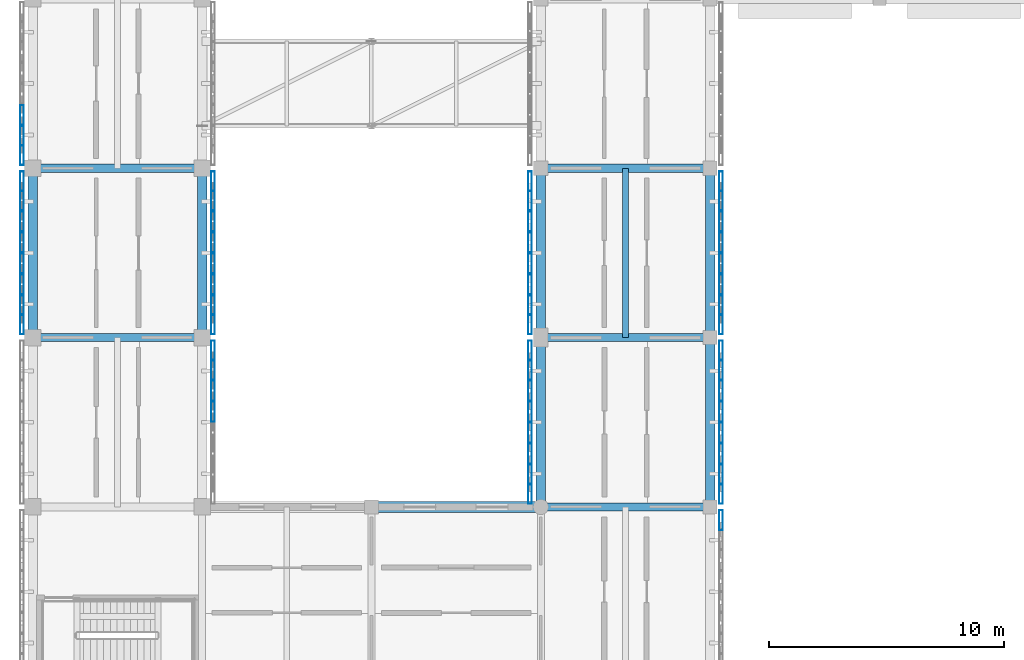
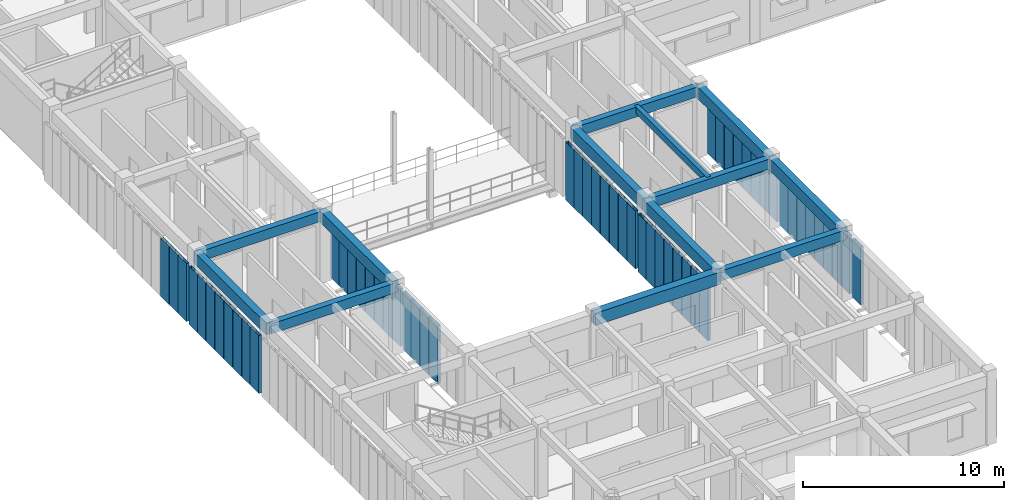
# One storey, part 11 of 171: 56 members, 13 beams, 9 elements without a shape of their own.
"""IFC4 building model written with IfcOpenShell, lengths in metres."""

from ifc_helpers import new_model, si_unit, direction, frame, origin, origin_2d, place, context, subcontext, project, spatial, rectangle, hollow_rectangle, extrude, material, material_profile, profile_set, type_object, element, aggregate, save


model = new_model("IFC4")

# Units and contexts
model_context = context("Model", 3, precision=1e-05, world=origin(), true_north=direction((0.0, 1.0)))
body_context = subcontext(model_context, "Body", "Model", "MODEL_VIEW")
ifc_project = project(units=[si_unit("LENGTHUNIT", "METRE"), si_unit("AREAUNIT", "SQUARE_METRE"), si_unit("VOLUMEUNIT", "CUBIC_METRE"), si_unit("PLANEANGLEUNIT", "RADIAN"), si_unit("MASSUNIT", "GRAM", prefix="KILO")], contexts=[model_context])

# Site, building, storey
site_placement = place(None, origin())
site = spatial("IfcSite", under=ifc_project, at=site_placement, CompositionType="ELEMENT")
building_placement = place(site_placement, origin())
building = spatial("IfcBuilding", under=site, at=building_placement, Name="Aldebral Square Health Centre", CompositionType="ELEMENT")
storey_placement = place(building_placement, frame((0.0, 0.0, 4.5)))
storey = spatial("IfcBuildingStorey", under=building, at=storey_placement, Name="L01", CompositionType="ELEMENT", Elevation=4.5)

# Beams
ifc_material_1 = material(Name="Concrete C40/50", Category="concrete")
ifc_material_profile_1 = material_profile(ifc_material_1, rectangle(XDim=0.35009765625, YDim=0.60009765625, at=origin_2d()), Name="RC 350x600")
ifc_profile_set_1 = profile_set([ifc_material_profile_1], Name="Concrete C40/50")
beam_type_1 = type_object("IfcBeamType", Name="BM-B2", PredefinedType="BEAM", material=ifc_profile_set_1)
for number, where, z_axis, x_axis, name in (
    (1, (0.0, 72.0, 3.919921875), (1.0, 0.0, 0.0), (0.0, 1.0, 0.0), "L01 X-beam 1-2/G11"),
    (2, (0.0, 79.199951171875, 3.919921875), (1.0, 0.0, 0.0), (0.0, 1.0, 0.0), "L01 X-beam 1-2/G12"),
    (3, (21.60009765625, 64.800048828125, 3.919921875), (1.0, 0.0, 0.0), (0.0, 1.0, 0.0), "L01 X-beam 4-5/G10"),
    (4, (21.60009765625, 72.0, 3.919921875), (1.0, 0.0, 0.0), (0.0, 1.0, 0.0), "L01 X-beam 4-5/G11"),
    (5, (21.60009765625, 79.199951171875, 3.919921875), (1.0, 0.0, 0.0), (0.0, 1.0, 0.0), "L01 X-beam 4-5/G12"),
):
    element("IfcBeam", number, at=place(storey_placement, frame(where, z_axis=z_axis, x_axis=x_axis)), inside=storey, type_object=beam_type_1, Name=name, PredefinedType="BEAM", context=body_context, shape_type="SweptSolid", body=[
        extrude(rectangle(XDim=0.35009765625, YDim=0.60009765625, at=origin_2d()), origin(), (0.0, 0.0, 1.0), 7.199951171875),
    ])
ifc_material_profile_2 = material_profile(ifc_material_1, rectangle(XDim=0.25, YDim=0.39990234375, at=origin_2d()), Name="RC 250x400")
ifc_profile_set_2 = profile_set([ifc_material_profile_2], Name="Concrete C40/50")
beam_type_2 = type_object("IfcBeamType", Name="BM-B6", PredefinedType="JOIST", material=ifc_profile_set_2)
beam_1_placement = place(storey_placement, frame((25.199951171875, 72.0, 4.02001953125), z_axis=(0.0, 1.0, 0.0), x_axis=(-1.0, 0.0, 0.0)))
element("IfcBeam", 6, at=beam_1_placement, inside=storey, type_object=beam_type_2, Name="L01 secondary rib 4.11", PredefinedType="JOIST", context=body_context, shape_type="SweptSolid", body=[
    extrude(rectangle(XDim=0.25, YDim=0.39990234375, at=origin_2d()), origin(), (0.0, 0.0, 1.0), 7.199951171875),
])
ifc_material_profile_3 = material_profile(ifc_material_1, rectangle(XDim=0.449951171875, YDim=0.75, at=origin_2d()), Name="RC 450x750")
ifc_profile_set_3 = profile_set([ifc_material_profile_3], Name="Concrete C40/50")
beam_type_3 = type_object("IfcBeamType", Name="BM-G2", PredefinedType="T_BEAM", material=ifc_profile_set_3)
beam_2_placement = place(storey_placement, frame((14.39990234375, 64.800048828125, 3.844970703125), z_axis=(1.0, 0.0, 0.0), x_axis=(0.0, 1.0, 0.0)))
element("IfcBeam", 7, at=beam_2_placement, inside=storey, type_object=beam_type_3, Name="L01 X-beam 3-4/G10", PredefinedType="T_BEAM", context=body_context, shape_type="SweptSolid", body=[
    extrude(rectangle(XDim=0.449951171875, YDim=0.75, at=origin_2d()), origin(), (0.0, 0.0, 1.0), 7.2001953125),
])
ifc_material_profile_4 = material_profile(ifc_material_1, rectangle(XDim=0.39990234375, YDim=0.699951171875, at=origin_2d()), Name="RC 400x700")
ifc_profile_set_4 = profile_set([ifc_material_profile_4], Name="Concrete C40/50")
beam_type_4 = type_object("IfcBeamType", Name="BM-G3", PredefinedType="T_BEAM", material=ifc_profile_set_4)
for number, where, z_axis, x_axis, name in (
    (8, (0.0, 72.0, 3.8701171875), (0.0, 1.0, 0.0), (-1.0, 0.0, 0.0), "L01 Y-beam G1/11-12"),
    (9, (7.199951171875, 72.0, 3.8701171875), (0.0, 1.0, 0.0), (-1.0, 0.0, 0.0), "L01 Y-beam G2/11-12"),
    (10, (21.60009765625, 64.800048828125, 3.8701171875), (0.0, 1.0, 0.0), (-1.0, 0.0, 0.0), "L01 Y-beam G4/10-11"),
    (11, (21.60009765625, 72.0, 3.8701171875), (0.0, 1.0, 0.0), (-1.0, 0.0, 0.0), "L01 Y-beam G4/11-12"),
    (12, (28.800048828125, 64.800048828125, 3.8701171875), (0.0, 1.0, 0.0), (-1.0, 0.0, 0.0), "L01 Y-beam G5/10-11"),
    (13, (28.800048828125, 72.0, 3.8701171875), (0.0, 1.0, 0.0), (-1.0, 0.0, 0.0), "L01 Y-beam G5/11-12"),
):
    element("IfcBeam", number, at=place(storey_placement, frame(where, z_axis=z_axis, x_axis=x_axis)), inside=storey, type_object=beam_type_4, Name=name, PredefinedType="T_BEAM", context=body_context, shape_type="SweptSolid", body=[
        extrude(rectangle(XDim=0.39990234375, YDim=0.699951171875, at=origin_2d()), origin(), (0.0, 0.0, 1.0), 7.199951171875),
    ])

# Curtain wall, members
ifc_material_2 = material(Name="Aluminium and low-E solar glass", Category="aluminium")
curtain_wall_type = type_object("IfcCurtainWallType", Name="CW-FIN-SYS", PredefinedType="USERDEFINED", material=ifc_material_2)
curtain_wall_1_placement = place(storey_placement, origin())
curtain_wall_1 = element("IfcCurtainWall", 14, at=curtain_wall_1_placement, inside=storey, type_object=curtain_wall_type, Name="L01 V4 finned curtain wall L01-V4-00-09-E", ObjectType="SOLAR_CURTAIN_WALL", PredefinedType="USERDEFINED")
ifc_material_3 = material(Name="Sienna-terracotta clad aluminium fin", Category="masonry")
ifc_material_profile_5 = material_profile(ifc_material_3, hollow_rectangle(XDim=0.159912109375, YDim=0.85009765625, WallThickness=0.006103515625, at=origin_2d()), Name="FIN 160x850x6")
ifc_profile_set_5 = profile_set([ifc_material_profile_5], Name="Sienna-terracotta clad aluminium fin")
member_type = type_object("IfcMemberType", Name="CWM-FIN", PredefinedType="MULLION", material=ifc_profile_set_5)
member_1_placement = place(storey_placement, frame((7.659912109375, 68.845703125, 0.0), z_axis=(0.0, 0.0, 1.0), x_axis=(-1.0, 0.0, 0.0)))
member_1 = element("IfcMember", 15, at=member_1_placement, type_object=member_type, Name="CW1 mullion 5", PredefinedType="MULLION", context=body_context, shape_type="SweptSolid", body=[
    extrude(hollow_rectangle(XDim=0.159912109375, YDim=0.85009765625, WallThickness=0.006103515625, at=origin_2d()), origin(), (0.0, 0.0, 1.0), 3.52001953125),
])
member_2_placement = place(storey_placement, frame((7.659912109375, 69.737060546875, 0.0), z_axis=(0.0, 0.0, 1.0), x_axis=(-1.0, 0.0, 0.0)))
member_2 = element("IfcMember", 16, at=member_2_placement, type_object=member_type, Name="CW1 mullion 6", PredefinedType="MULLION", context=body_context, shape_type="SweptSolid", body=[
    extrude(hollow_rectangle(XDim=0.159912109375, YDim=0.85009765625, WallThickness=0.006103515625, at=origin_2d()), origin(), (0.0, 0.0, 1.0), 3.52001953125),
])
member_3_placement = place(storey_placement, frame((7.659912109375, 70.628662109375, 0.0), z_axis=(0.0, 0.0, 1.0), x_axis=(-1.0, 0.0, 0.0)))
member_3 = element("IfcMember", 17, at=member_3_placement, type_object=member_type, Name="CW1 mullion 7", PredefinedType="MULLION", context=body_context, shape_type="SweptSolid", body=[
    extrude(hollow_rectangle(XDim=0.159912109375, YDim=0.85009765625, WallThickness=0.006103515625, at=origin_2d()), origin(), (0.0, 0.0, 1.0), 3.52001953125),
])
member_4_placement = place(storey_placement, frame((7.659912109375, 71.43994140625, 0.0), z_axis=(0.0, 0.0, 1.0), x_axis=(-1.0, 0.0, 0.0)))
member_4 = element("IfcMember", 18, at=member_4_placement, type_object=member_type, Name="CW1 mullion 8", PredefinedType="MULLION", context=body_context, shape_type="SweptSolid", body=[
    extrude(hollow_rectangle(XDim=0.159912109375, YDim=0.85009765625, WallThickness=0.006103515625, at=origin_2d()), origin(), (0.0, 0.0, 1.0), 3.52001953125),
])
aggregate(curtain_wall_1, [member_1, member_2, member_3, member_4])

curtain_wall_2_placement = place(storey_placement, origin())
curtain_wall_2 = element("IfcCurtainWall", 19, at=curtain_wall_2_placement, inside=storey, type_object=curtain_wall_type, Name="L01 V4 finned curtain wall L01-V4-00-10-W", ObjectType="SOLAR_CURTAIN_WALL", PredefinedType="USERDEFINED")
member_5_placement = place(storey_placement, frame((-0.4599609375, 78.639892578125, 0.0), z_axis=(0.0, 0.0, 1.0), x_axis=(1.0, 0.0, 0.0)))
member_5 = element("IfcMember", 20, at=member_5_placement, type_object=member_type, Name="CW1 mullion 1", PredefinedType="MULLION", context=body_context, shape_type="SweptSolid", body=[
    extrude(hollow_rectangle(XDim=0.159912109375, YDim=0.85009765625, WallThickness=0.006103515625, at=origin_2d()), origin(), (0.0, 0.0, 1.0), 3.52001953125),
])
member_6_placement = place(storey_placement, frame((-0.4599609375, 77.82861328125, 0.0), z_axis=(0.0, 0.0, 1.0), x_axis=(1.0, 0.0, 0.0)))
member_6 = element("IfcMember", 21, at=member_6_placement, type_object=member_type, Name="CW1 mullion 2", PredefinedType="MULLION", context=body_context, shape_type="SweptSolid", body=[
    extrude(hollow_rectangle(XDim=0.159912109375, YDim=0.85009765625, WallThickness=0.006103515625, at=origin_2d()), origin(), (0.0, 0.0, 1.0), 3.52001953125),
])
member_7_placement = place(storey_placement, frame((-0.4599609375, 76.937255859375, 0.0), z_axis=(0.0, 0.0, 1.0), x_axis=(1.0, 0.0, 0.0)))
member_7 = element("IfcMember", 22, at=member_7_placement, type_object=member_type, Name="CW1 mullion 3", PredefinedType="MULLION", context=body_context, shape_type="SweptSolid", body=[
    extrude(hollow_rectangle(XDim=0.159912109375, YDim=0.85009765625, WallThickness=0.006103515625, at=origin_2d()), origin(), (0.0, 0.0, 1.0), 3.52001953125),
])
member_8_placement = place(storey_placement, frame((-0.4599609375, 76.045654296875, 0.0), z_axis=(0.0, 0.0, 1.0), x_axis=(1.0, 0.0, 0.0)))
member_8 = element("IfcMember", 23, at=member_8_placement, type_object=member_type, Name="CW1 mullion 4", PredefinedType="MULLION", context=body_context, shape_type="SweptSolid", body=[
    extrude(hollow_rectangle(XDim=0.159912109375, YDim=0.85009765625, WallThickness=0.006103515625, at=origin_2d()), origin(), (0.0, 0.0, 1.0), 3.52001953125),
])
member_9_placement = place(storey_placement, frame((-0.4599609375, 75.154296875, 0.0), z_axis=(0.0, 0.0, 1.0), x_axis=(1.0, 0.0, 0.0)))
member_9 = element("IfcMember", 24, at=member_9_placement, type_object=member_type, Name="CW1 mullion 5", PredefinedType="MULLION", context=body_context, shape_type="SweptSolid", body=[
    extrude(hollow_rectangle(XDim=0.159912109375, YDim=0.85009765625, WallThickness=0.006103515625, at=origin_2d()), origin(), (0.0, 0.0, 1.0), 3.52001953125),
])
member_10_placement = place(storey_placement, frame((-0.4599609375, 74.262939453125, 0.0), z_axis=(0.0, 0.0, 1.0), x_axis=(1.0, 0.0, 0.0)))
member_10 = element("IfcMember", 25, at=member_10_placement, type_object=member_type, Name="CW1 mullion 6", PredefinedType="MULLION", context=body_context, shape_type="SweptSolid", body=[
    extrude(hollow_rectangle(XDim=0.159912109375, YDim=0.85009765625, WallThickness=0.006103515625, at=origin_2d()), origin(), (0.0, 0.0, 1.0), 3.52001953125),
])
member_11_placement = place(storey_placement, frame((-0.4599609375, 73.371337890625, 0.0), z_axis=(0.0, 0.0, 1.0), x_axis=(1.0, 0.0, 0.0)))
member_11 = element("IfcMember", 26, at=member_11_placement, type_object=member_type, Name="CW1 mullion 7", PredefinedType="MULLION", context=body_context, shape_type="SweptSolid", body=[
    extrude(hollow_rectangle(XDim=0.159912109375, YDim=0.85009765625, WallThickness=0.006103515625, at=origin_2d()), origin(), (0.0, 0.0, 1.0), 3.52001953125),
])
member_12_placement = place(storey_placement, frame((-0.4599609375, 72.56005859375, 0.0), z_axis=(0.0, 0.0, 1.0), x_axis=(1.0, 0.0, 0.0)))
member_12 = element("IfcMember", 27, at=member_12_placement, type_object=member_type, Name="CW1 mullion 8", PredefinedType="MULLION", context=body_context, shape_type="SweptSolid", body=[
    extrude(hollow_rectangle(XDim=0.159912109375, YDim=0.85009765625, WallThickness=0.006103515625, at=origin_2d()), origin(), (0.0, 0.0, 1.0), 3.52001953125),
])
aggregate(curtain_wall_2, [member_5, member_6, member_7, member_8, member_9, member_10, member_11, member_12])

curtain_wall_3_placement = place(storey_placement, origin())
curtain_wall_3 = element("IfcCurtainWall", 28, at=curtain_wall_3_placement, inside=storey, type_object=curtain_wall_type, Name="L01 V4 finned curtain wall L01-V4-00-10-E", ObjectType="SOLAR_CURTAIN_WALL", PredefinedType="USERDEFINED")
member_13_placement = place(storey_placement, frame((7.659912109375, 72.56005859375, 0.0), z_axis=(0.0, 0.0, 1.0), x_axis=(-1.0, 0.0, 0.0)))
member_13 = element("IfcMember", 29, at=member_13_placement, type_object=member_type, Name="CW1 mullion 1", PredefinedType="MULLION", context=body_context, shape_type="SweptSolid", body=[
    extrude(hollow_rectangle(XDim=0.159912109375, YDim=0.85009765625, WallThickness=0.006103515625, at=origin_2d()), origin(), (0.0, 0.0, 1.0), 3.52001953125),
])
member_14_placement = place(storey_placement, frame((7.659912109375, 73.371337890625, 0.0), z_axis=(0.0, 0.0, 1.0), x_axis=(-1.0, 0.0, 0.0)))
member_14 = element("IfcMember", 30, at=member_14_placement, type_object=member_type, Name="CW1 mullion 2", PredefinedType="MULLION", context=body_context, shape_type="SweptSolid", body=[
    extrude(hollow_rectangle(XDim=0.159912109375, YDim=0.85009765625, WallThickness=0.006103515625, at=origin_2d()), origin(), (0.0, 0.0, 1.0), 3.52001953125),
])
member_15_placement = place(storey_placement, frame((7.659912109375, 74.262939453125, 0.0), z_axis=(0.0, 0.0, 1.0), x_axis=(-1.0, 0.0, 0.0)))
member_15 = element("IfcMember", 31, at=member_15_placement, type_object=member_type, Name="CW1 mullion 3", PredefinedType="MULLION", context=body_context, shape_type="SweptSolid", body=[
    extrude(hollow_rectangle(XDim=0.159912109375, YDim=0.85009765625, WallThickness=0.006103515625, at=origin_2d()), origin(), (0.0, 0.0, 1.0), 3.52001953125),
])
member_16_placement = place(storey_placement, frame((7.659912109375, 75.154296875, 0.0), z_axis=(0.0, 0.0, 1.0), x_axis=(-1.0, 0.0, 0.0)))
member_16 = element("IfcMember", 32, at=member_16_placement, type_object=member_type, Name="CW1 mullion 4", PredefinedType="MULLION", context=body_context, shape_type="SweptSolid", body=[
    extrude(hollow_rectangle(XDim=0.159912109375, YDim=0.85009765625, WallThickness=0.006103515625, at=origin_2d()), origin(), (0.0, 0.0, 1.0), 3.52001953125),
])
member_17_placement = place(storey_placement, frame((7.659912109375, 76.045654296875, 0.0), z_axis=(0.0, 0.0, 1.0), x_axis=(-1.0, 0.0, 0.0)))
member_17 = element("IfcMember", 33, at=member_17_placement, type_object=member_type, Name="CW1 mullion 5", PredefinedType="MULLION", context=body_context, shape_type="SweptSolid", body=[
    extrude(hollow_rectangle(XDim=0.159912109375, YDim=0.85009765625, WallThickness=0.006103515625, at=origin_2d()), origin(), (0.0, 0.0, 1.0), 3.52001953125),
])
member_18_placement = place(storey_placement, frame((7.659912109375, 76.937255859375, 0.0), z_axis=(0.0, 0.0, 1.0), x_axis=(-1.0, 0.0, 0.0)))
member_18 = element("IfcMember", 34, at=member_18_placement, type_object=member_type, Name="CW1 mullion 6", PredefinedType="MULLION", context=body_context, shape_type="SweptSolid", body=[
    extrude(hollow_rectangle(XDim=0.159912109375, YDim=0.85009765625, WallThickness=0.006103515625, at=origin_2d()), origin(), (0.0, 0.0, 1.0), 3.52001953125),
])
member_19_placement = place(storey_placement, frame((7.659912109375, 77.82861328125, 0.0), z_axis=(0.0, 0.0, 1.0), x_axis=(-1.0, 0.0, 0.0)))
member_19 = element("IfcMember", 35, at=member_19_placement, type_object=member_type, Name="CW1 mullion 7", PredefinedType="MULLION", context=body_context, shape_type="SweptSolid", body=[
    extrude(hollow_rectangle(XDim=0.159912109375, YDim=0.85009765625, WallThickness=0.006103515625, at=origin_2d()), origin(), (0.0, 0.0, 1.0), 3.52001953125),
])
member_20_placement = place(storey_placement, frame((7.659912109375, 78.639892578125, 0.0), z_axis=(0.0, 0.0, 1.0), x_axis=(-1.0, 0.0, 0.0)))
member_20 = element("IfcMember", 36, at=member_20_placement, type_object=member_type, Name="CW1 mullion 8", PredefinedType="MULLION", context=body_context, shape_type="SweptSolid", body=[
    extrude(hollow_rectangle(XDim=0.159912109375, YDim=0.85009765625, WallThickness=0.006103515625, at=origin_2d()), origin(), (0.0, 0.0, 1.0), 3.52001953125),
])
aggregate(curtain_wall_3, [member_13, member_14, member_15, member_16, member_17, member_18, member_19, member_20])

curtain_wall_4_placement = place(storey_placement, origin())
curtain_wall_4 = element("IfcCurtainWall", 37, at=curtain_wall_4_placement, inside=storey, type_object=curtain_wall_type, Name="L01 V4 finned curtain wall L01-V4-00-11-W", ObjectType="SOLAR_CURTAIN_WALL", PredefinedType="USERDEFINED")
member_21_placement = place(storey_placement, frame((-0.4599609375, 81.462890625, 0.0), z_axis=(0.0, 0.0, 1.0), x_axis=(1.0, 0.0, 0.0)))
member_21 = element("IfcMember", 38, at=member_21_placement, type_object=member_type, Name="CW1 mullion 6", PredefinedType="MULLION", context=body_context, shape_type="SweptSolid", body=[
    extrude(hollow_rectangle(XDim=0.159912109375, YDim=0.85009765625, WallThickness=0.006103515625, at=origin_2d()), origin(), (0.0, 0.0, 1.0), 3.52001953125),
])
member_22_placement = place(storey_placement, frame((-0.4599609375, 80.571533203125, 0.0), z_axis=(0.0, 0.0, 1.0), x_axis=(1.0, 0.0, 0.0)))
member_22 = element("IfcMember", 39, at=member_22_placement, type_object=member_type, Name="CW1 mullion 7", PredefinedType="MULLION", context=body_context, shape_type="SweptSolid", body=[
    extrude(hollow_rectangle(XDim=0.159912109375, YDim=0.85009765625, WallThickness=0.006103515625, at=origin_2d()), origin(), (0.0, 0.0, 1.0), 3.52001953125),
])
member_23_placement = place(storey_placement, frame((-0.4599609375, 79.760009765625, 0.0), z_axis=(0.0, 0.0, 1.0), x_axis=(1.0, 0.0, 0.0)))
member_23 = element("IfcMember", 40, at=member_23_placement, type_object=member_type, Name="CW1 mullion 8", PredefinedType="MULLION", context=body_context, shape_type="SweptSolid", body=[
    extrude(hollow_rectangle(XDim=0.159912109375, YDim=0.85009765625, WallThickness=0.006103515625, at=origin_2d()), origin(), (0.0, 0.0, 1.0), 3.52001953125),
])
aggregate(curtain_wall_4, [member_21, member_22, member_23])

# Curtain wall, member
curtain_wall_5_placement = place(storey_placement, origin())
curtain_wall_5 = element("IfcCurtainWall", 41, at=curtain_wall_5_placement, inside=storey, type_object=curtain_wall_type, Name="L01 V4 finned curtain wall L01-V4-03-08-E", ObjectType="SOLAR_CURTAIN_WALL", PredefinedType="USERDEFINED")
member_24_placement = place(storey_placement, frame((29.260009765625, 64.239990234375, 0.0), z_axis=(0.0, 0.0, 1.0), x_axis=(-1.0, 0.0, 0.0)))
member_24 = element("IfcMember", 42, at=member_24_placement, type_object=member_type, Name="CW1 mullion 8", PredefinedType="MULLION", context=body_context, shape_type="SweptSolid", body=[
    extrude(hollow_rectangle(XDim=0.159912109375, YDim=0.85009765625, WallThickness=0.006103515625, at=origin_2d()), origin(), (0.0, 0.0, 1.0), 3.52001953125),
])
aggregate(curtain_wall_5, [member_24])

# Curtain wall, members
curtain_wall_6_placement = place(storey_placement, origin())
curtain_wall_6 = element("IfcCurtainWall", 43, at=curtain_wall_6_placement, inside=storey, type_object=curtain_wall_type, Name="L01 V4 finned curtain wall L01-V4-03-09-W", ObjectType="SOLAR_CURTAIN_WALL", PredefinedType="USERDEFINED")
member_25_placement = place(storey_placement, frame((21.139892578125, 71.43994140625, 0.0), z_axis=(0.0, 0.0, 1.0), x_axis=(1.0, 0.0, 0.0)))
member_25 = element("IfcMember", 44, at=member_25_placement, type_object=member_type, Name="CW1 mullion 1", PredefinedType="MULLION", context=body_context, shape_type="SweptSolid", body=[
    extrude(hollow_rectangle(XDim=0.159912109375, YDim=0.85009765625, WallThickness=0.006103515625, at=origin_2d()), origin(), (0.0, 0.0, 1.0), 3.52001953125),
])
member_26_placement = place(storey_placement, frame((21.139892578125, 70.628662109375, 0.0), z_axis=(0.0, 0.0, 1.0), x_axis=(1.0, 0.0, 0.0)))
member_26 = element("IfcMember", 45, at=member_26_placement, type_object=member_type, Name="CW1 mullion 2", PredefinedType="MULLION", context=body_context, shape_type="SweptSolid", body=[
    extrude(hollow_rectangle(XDim=0.159912109375, YDim=0.85009765625, WallThickness=0.006103515625, at=origin_2d()), origin(), (0.0, 0.0, 1.0), 3.52001953125),
])
member_27_placement = place(storey_placement, frame((21.139892578125, 69.737060546875, 0.0), z_axis=(0.0, 0.0, 1.0), x_axis=(1.0, 0.0, 0.0)))
member_27 = element("IfcMember", 46, at=member_27_placement, type_object=member_type, Name="CW1 mullion 3", PredefinedType="MULLION", context=body_context, shape_type="SweptSolid", body=[
    extrude(hollow_rectangle(XDim=0.159912109375, YDim=0.85009765625, WallThickness=0.006103515625, at=origin_2d()), origin(), (0.0, 0.0, 1.0), 3.52001953125),
])
member_28_placement = place(storey_placement, frame((21.139892578125, 68.845703125, 0.0), z_axis=(0.0, 0.0, 1.0), x_axis=(1.0, 0.0, 0.0)))
member_28 = element("IfcMember", 47, at=member_28_placement, type_object=member_type, Name="CW1 mullion 4", PredefinedType="MULLION", context=body_context, shape_type="SweptSolid", body=[
    extrude(hollow_rectangle(XDim=0.159912109375, YDim=0.85009765625, WallThickness=0.006103515625, at=origin_2d()), origin(), (0.0, 0.0, 1.0), 3.52001953125),
])
member_29_placement = place(storey_placement, frame((21.139892578125, 67.954345703125, 0.0), z_axis=(0.0, 0.0, 1.0), x_axis=(1.0, 0.0, 0.0)))
member_29 = element("IfcMember", 48, at=member_29_placement, type_object=member_type, Name="CW1 mullion 5", PredefinedType="MULLION", context=body_context, shape_type="SweptSolid", body=[
    extrude(hollow_rectangle(XDim=0.159912109375, YDim=0.85009765625, WallThickness=0.006103515625, at=origin_2d()), origin(), (0.0, 0.0, 1.0), 3.52001953125),
])
member_30_placement = place(storey_placement, frame((21.139892578125, 67.062744140625, 0.0), z_axis=(0.0, 0.0, 1.0), x_axis=(1.0, 0.0, 0.0)))
member_30 = element("IfcMember", 49, at=member_30_placement, type_object=member_type, Name="CW1 mullion 6", PredefinedType="MULLION", context=body_context, shape_type="SweptSolid", body=[
    extrude(hollow_rectangle(XDim=0.159912109375, YDim=0.85009765625, WallThickness=0.006103515625, at=origin_2d()), origin(), (0.0, 0.0, 1.0), 3.52001953125),
])
member_31_placement = place(storey_placement, frame((21.139892578125, 66.17138671875, 0.0), z_axis=(0.0, 0.0, 1.0), x_axis=(1.0, 0.0, 0.0)))
member_31 = element("IfcMember", 50, at=member_31_placement, type_object=member_type, Name="CW1 mullion 7", PredefinedType="MULLION", context=body_context, shape_type="SweptSolid", body=[
    extrude(hollow_rectangle(XDim=0.159912109375, YDim=0.85009765625, WallThickness=0.006103515625, at=origin_2d()), origin(), (0.0, 0.0, 1.0), 3.52001953125),
])
member_32_placement = place(storey_placement, frame((21.139892578125, 65.360107421875, 0.0), z_axis=(0.0, 0.0, 1.0), x_axis=(1.0, 0.0, 0.0)))
member_32 = element("IfcMember", 51, at=member_32_placement, type_object=member_type, Name="CW1 mullion 8", PredefinedType="MULLION", context=body_context, shape_type="SweptSolid", body=[
    extrude(hollow_rectangle(XDim=0.159912109375, YDim=0.85009765625, WallThickness=0.006103515625, at=origin_2d()), origin(), (0.0, 0.0, 1.0), 3.52001953125),
])
aggregate(curtain_wall_6, [member_25, member_26, member_27, member_28, member_29, member_30, member_31, member_32])

curtain_wall_7_placement = place(storey_placement, origin())
curtain_wall_7 = element("IfcCurtainWall", 52, at=curtain_wall_7_placement, inside=storey, type_object=curtain_wall_type, Name="L01 V4 finned curtain wall L01-V4-03-09-E", ObjectType="SOLAR_CURTAIN_WALL", PredefinedType="USERDEFINED")
member_33_placement = place(storey_placement, frame((29.260009765625, 65.360107421875, 0.0), z_axis=(0.0, 0.0, 1.0), x_axis=(-1.0, 0.0, 0.0)))
member_33 = element("IfcMember", 53, at=member_33_placement, type_object=member_type, Name="CW1 mullion 1", PredefinedType="MULLION", context=body_context, shape_type="SweptSolid", body=[
    extrude(hollow_rectangle(XDim=0.159912109375, YDim=0.85009765625, WallThickness=0.006103515625, at=origin_2d()), origin(), (0.0, 0.0, 1.0), 3.52001953125),
])
member_34_placement = place(storey_placement, frame((29.260009765625, 66.17138671875, 0.0), z_axis=(0.0, 0.0, 1.0), x_axis=(-1.0, 0.0, 0.0)))
member_34 = element("IfcMember", 54, at=member_34_placement, type_object=member_type, Name="CW1 mullion 2", PredefinedType="MULLION", context=body_context, shape_type="SweptSolid", body=[
    extrude(hollow_rectangle(XDim=0.159912109375, YDim=0.85009765625, WallThickness=0.006103515625, at=origin_2d()), origin(), (0.0, 0.0, 1.0), 3.52001953125),
])
member_35_placement = place(storey_placement, frame((29.260009765625, 67.062744140625, 0.0), z_axis=(0.0, 0.0, 1.0), x_axis=(-1.0, 0.0, 0.0)))
member_35 = element("IfcMember", 55, at=member_35_placement, type_object=member_type, Name="CW1 mullion 3", PredefinedType="MULLION", context=body_context, shape_type="SweptSolid", body=[
    extrude(hollow_rectangle(XDim=0.159912109375, YDim=0.85009765625, WallThickness=0.006103515625, at=origin_2d()), origin(), (0.0, 0.0, 1.0), 3.52001953125),
])
member_36_placement = place(storey_placement, frame((29.260009765625, 67.954345703125, 0.0), z_axis=(0.0, 0.0, 1.0), x_axis=(-1.0, 0.0, 0.0)))
member_36 = element("IfcMember", 56, at=member_36_placement, type_object=member_type, Name="CW1 mullion 4", PredefinedType="MULLION", context=body_context, shape_type="SweptSolid", body=[
    extrude(hollow_rectangle(XDim=0.159912109375, YDim=0.85009765625, WallThickness=0.006103515625, at=origin_2d()), origin(), (0.0, 0.0, 1.0), 3.52001953125),
])
member_37_placement = place(storey_placement, frame((29.260009765625, 68.845703125, 0.0), z_axis=(0.0, 0.0, 1.0), x_axis=(-1.0, 0.0, 0.0)))
member_37 = element("IfcMember", 57, at=member_37_placement, type_object=member_type, Name="CW1 mullion 5", PredefinedType="MULLION", context=body_context, shape_type="SweptSolid", body=[
    extrude(hollow_rectangle(XDim=0.159912109375, YDim=0.85009765625, WallThickness=0.006103515625, at=origin_2d()), origin(), (0.0, 0.0, 1.0), 3.52001953125),
])
member_38_placement = place(storey_placement, frame((29.260009765625, 69.737060546875, 0.0), z_axis=(0.0, 0.0, 1.0), x_axis=(-1.0, 0.0, 0.0)))
member_38 = element("IfcMember", 58, at=member_38_placement, type_object=member_type, Name="CW1 mullion 6", PredefinedType="MULLION", context=body_context, shape_type="SweptSolid", body=[
    extrude(hollow_rectangle(XDim=0.159912109375, YDim=0.85009765625, WallThickness=0.006103515625, at=origin_2d()), origin(), (0.0, 0.0, 1.0), 3.52001953125),
])
member_39_placement = place(storey_placement, frame((29.260009765625, 70.628662109375, 0.0), z_axis=(0.0, 0.0, 1.0), x_axis=(-1.0, 0.0, 0.0)))
member_39 = element("IfcMember", 59, at=member_39_placement, type_object=member_type, Name="CW1 mullion 7", PredefinedType="MULLION", context=body_context, shape_type="SweptSolid", body=[
    extrude(hollow_rectangle(XDim=0.159912109375, YDim=0.85009765625, WallThickness=0.006103515625, at=origin_2d()), origin(), (0.0, 0.0, 1.0), 3.52001953125),
])
member_40_placement = place(storey_placement, frame((29.260009765625, 71.43994140625, 0.0), z_axis=(0.0, 0.0, 1.0), x_axis=(-1.0, 0.0, 0.0)))
member_40 = element("IfcMember", 60, at=member_40_placement, type_object=member_type, Name="CW1 mullion 8", PredefinedType="MULLION", context=body_context, shape_type="SweptSolid", body=[
    extrude(hollow_rectangle(XDim=0.159912109375, YDim=0.85009765625, WallThickness=0.006103515625, at=origin_2d()), origin(), (0.0, 0.0, 1.0), 3.52001953125),
])
aggregate(curtain_wall_7, [member_33, member_34, member_35, member_36, member_37, member_38, member_39, member_40])

curtain_wall_8_placement = place(storey_placement, origin())
curtain_wall_8 = element("IfcCurtainWall", 61, at=curtain_wall_8_placement, inside=storey, type_object=curtain_wall_type, Name="L01 V4 finned curtain wall L01-V4-03-10-W", ObjectType="SOLAR_CURTAIN_WALL", PredefinedType="USERDEFINED")
member_41_placement = place(storey_placement, frame((21.139892578125, 78.639892578125, 0.0), z_axis=(0.0, 0.0, 1.0), x_axis=(1.0, 0.0, 0.0)))
member_41 = element("IfcMember", 62, at=member_41_placement, type_object=member_type, Name="CW1 mullion 1", PredefinedType="MULLION", context=body_context, shape_type="SweptSolid", body=[
    extrude(hollow_rectangle(XDim=0.159912109375, YDim=0.85009765625, WallThickness=0.006103515625, at=origin_2d()), origin(), (0.0, 0.0, 1.0), 3.52001953125),
])
member_42_placement = place(storey_placement, frame((21.139892578125, 77.82861328125, 0.0), z_axis=(0.0, 0.0, 1.0), x_axis=(1.0, 0.0, 0.0)))
member_42 = element("IfcMember", 63, at=member_42_placement, type_object=member_type, Name="CW1 mullion 2", PredefinedType="MULLION", context=body_context, shape_type="SweptSolid", body=[
    extrude(hollow_rectangle(XDim=0.159912109375, YDim=0.85009765625, WallThickness=0.006103515625, at=origin_2d()), origin(), (0.0, 0.0, 1.0), 3.52001953125),
])
member_43_placement = place(storey_placement, frame((21.139892578125, 76.937255859375, 0.0), z_axis=(0.0, 0.0, 1.0), x_axis=(1.0, 0.0, 0.0)))
member_43 = element("IfcMember", 64, at=member_43_placement, type_object=member_type, Name="CW1 mullion 3", PredefinedType="MULLION", context=body_context, shape_type="SweptSolid", body=[
    extrude(hollow_rectangle(XDim=0.159912109375, YDim=0.85009765625, WallThickness=0.006103515625, at=origin_2d()), origin(), (0.0, 0.0, 1.0), 3.52001953125),
])
member_44_placement = place(storey_placement, frame((21.139892578125, 76.045654296875, 0.0), z_axis=(0.0, 0.0, 1.0), x_axis=(1.0, 0.0, 0.0)))
member_44 = element("IfcMember", 65, at=member_44_placement, type_object=member_type, Name="CW1 mullion 4", PredefinedType="MULLION", context=body_context, shape_type="SweptSolid", body=[
    extrude(hollow_rectangle(XDim=0.159912109375, YDim=0.85009765625, WallThickness=0.006103515625, at=origin_2d()), origin(), (0.0, 0.0, 1.0), 3.52001953125),
])
member_45_placement = place(storey_placement, frame((21.139892578125, 75.154296875, 0.0), z_axis=(0.0, 0.0, 1.0), x_axis=(1.0, 0.0, 0.0)))
member_45 = element("IfcMember", 66, at=member_45_placement, type_object=member_type, Name="CW1 mullion 5", PredefinedType="MULLION", context=body_context, shape_type="SweptSolid", body=[
    extrude(hollow_rectangle(XDim=0.159912109375, YDim=0.85009765625, WallThickness=0.006103515625, at=origin_2d()), origin(), (0.0, 0.0, 1.0), 3.52001953125),
])
member_46_placement = place(storey_placement, frame((21.139892578125, 74.262939453125, 0.0), z_axis=(0.0, 0.0, 1.0), x_axis=(1.0, 0.0, 0.0)))
member_46 = element("IfcMember", 67, at=member_46_placement, type_object=member_type, Name="CW1 mullion 6", PredefinedType="MULLION", context=body_context, shape_type="SweptSolid", body=[
    extrude(hollow_rectangle(XDim=0.159912109375, YDim=0.85009765625, WallThickness=0.006103515625, at=origin_2d()), origin(), (0.0, 0.0, 1.0), 3.52001953125),
])
member_47_placement = place(storey_placement, frame((21.139892578125, 73.371337890625, 0.0), z_axis=(0.0, 0.0, 1.0), x_axis=(1.0, 0.0, 0.0)))
member_47 = element("IfcMember", 68, at=member_47_placement, type_object=member_type, Name="CW1 mullion 7", PredefinedType="MULLION", context=body_context, shape_type="SweptSolid", body=[
    extrude(hollow_rectangle(XDim=0.159912109375, YDim=0.85009765625, WallThickness=0.006103515625, at=origin_2d()), origin(), (0.0, 0.0, 1.0), 3.52001953125),
])
member_48_placement = place(storey_placement, frame((21.139892578125, 72.56005859375, 0.0), z_axis=(0.0, 0.0, 1.0), x_axis=(1.0, 0.0, 0.0)))
member_48 = element("IfcMember", 69, at=member_48_placement, type_object=member_type, Name="CW1 mullion 8", PredefinedType="MULLION", context=body_context, shape_type="SweptSolid", body=[
    extrude(hollow_rectangle(XDim=0.159912109375, YDim=0.85009765625, WallThickness=0.006103515625, at=origin_2d()), origin(), (0.0, 0.0, 1.0), 3.52001953125),
])
aggregate(curtain_wall_8, [member_41, member_42, member_43, member_44, member_45, member_46, member_47, member_48])

curtain_wall_9_placement = place(storey_placement, origin())
curtain_wall_9 = element("IfcCurtainWall", 70, at=curtain_wall_9_placement, inside=storey, type_object=curtain_wall_type, Name="L01 V4 finned curtain wall L01-V4-03-10-E", ObjectType="SOLAR_CURTAIN_WALL", PredefinedType="USERDEFINED")
member_49_placement = place(storey_placement, frame((29.260009765625, 72.56005859375, 0.0), z_axis=(0.0, 0.0, 1.0), x_axis=(-1.0, 0.0, 0.0)))
member_49 = element("IfcMember", 71, at=member_49_placement, type_object=member_type, Name="CW1 mullion 1", PredefinedType="MULLION", context=body_context, shape_type="SweptSolid", body=[
    extrude(hollow_rectangle(XDim=0.159912109375, YDim=0.85009765625, WallThickness=0.006103515625, at=origin_2d()), origin(), (0.0, 0.0, 1.0), 3.52001953125),
])
member_50_placement = place(storey_placement, frame((29.260009765625, 73.371337890625, 0.0), z_axis=(0.0, 0.0, 1.0), x_axis=(-1.0, 0.0, 0.0)))
member_50 = element("IfcMember", 72, at=member_50_placement, type_object=member_type, Name="CW1 mullion 2", PredefinedType="MULLION", context=body_context, shape_type="SweptSolid", body=[
    extrude(hollow_rectangle(XDim=0.159912109375, YDim=0.85009765625, WallThickness=0.006103515625, at=origin_2d()), origin(), (0.0, 0.0, 1.0), 3.52001953125),
])
member_51_placement = place(storey_placement, frame((29.260009765625, 74.262939453125, 0.0), z_axis=(0.0, 0.0, 1.0), x_axis=(-1.0, 0.0, 0.0)))
member_51 = element("IfcMember", 73, at=member_51_placement, type_object=member_type, Name="CW1 mullion 3", PredefinedType="MULLION", context=body_context, shape_type="SweptSolid", body=[
    extrude(hollow_rectangle(XDim=0.159912109375, YDim=0.85009765625, WallThickness=0.006103515625, at=origin_2d()), origin(), (0.0, 0.0, 1.0), 3.52001953125),
])
member_52_placement = place(storey_placement, frame((29.260009765625, 75.154296875, 0.0), z_axis=(0.0, 0.0, 1.0), x_axis=(-1.0, 0.0, 0.0)))
member_52 = element("IfcMember", 74, at=member_52_placement, type_object=member_type, Name="CW1 mullion 4", PredefinedType="MULLION", context=body_context, shape_type="SweptSolid", body=[
    extrude(hollow_rectangle(XDim=0.159912109375, YDim=0.85009765625, WallThickness=0.006103515625, at=origin_2d()), origin(), (0.0, 0.0, 1.0), 3.52001953125),
])
member_53_placement = place(storey_placement, frame((29.260009765625, 76.045654296875, 0.0), z_axis=(0.0, 0.0, 1.0), x_axis=(-1.0, 0.0, 0.0)))
member_53 = element("IfcMember", 75, at=member_53_placement, type_object=member_type, Name="CW1 mullion 5", PredefinedType="MULLION", context=body_context, shape_type="SweptSolid", body=[
    extrude(hollow_rectangle(XDim=0.159912109375, YDim=0.85009765625, WallThickness=0.006103515625, at=origin_2d()), origin(), (0.0, 0.0, 1.0), 3.52001953125),
])
member_54_placement = place(storey_placement, frame((29.260009765625, 76.937255859375, 0.0), z_axis=(0.0, 0.0, 1.0), x_axis=(-1.0, 0.0, 0.0)))
member_54 = element("IfcMember", 76, at=member_54_placement, type_object=member_type, Name="CW1 mullion 6", PredefinedType="MULLION", context=body_context, shape_type="SweptSolid", body=[
    extrude(hollow_rectangle(XDim=0.159912109375, YDim=0.85009765625, WallThickness=0.006103515625, at=origin_2d()), origin(), (0.0, 0.0, 1.0), 3.52001953125),
])
member_55_placement = place(storey_placement, frame((29.260009765625, 77.82861328125, 0.0), z_axis=(0.0, 0.0, 1.0), x_axis=(-1.0, 0.0, 0.0)))
member_55 = element("IfcMember", 77, at=member_55_placement, type_object=member_type, Name="CW1 mullion 7", PredefinedType="MULLION", context=body_context, shape_type="SweptSolid", body=[
    extrude(hollow_rectangle(XDim=0.159912109375, YDim=0.85009765625, WallThickness=0.006103515625, at=origin_2d()), origin(), (0.0, 0.0, 1.0), 3.52001953125),
])
member_56_placement = place(storey_placement, frame((29.260009765625, 78.639892578125, 0.0), z_axis=(0.0, 0.0, 1.0), x_axis=(-1.0, 0.0, 0.0)))
member_56 = element("IfcMember", 78, at=member_56_placement, type_object=member_type, Name="CW1 mullion 8", PredefinedType="MULLION", context=body_context, shape_type="SweptSolid", body=[
    extrude(hollow_rectangle(XDim=0.159912109375, YDim=0.85009765625, WallThickness=0.006103515625, at=origin_2d()), origin(), (0.0, 0.0, 1.0), 3.52001953125),
])
aggregate(curtain_wall_9, [member_49, member_50, member_51, member_52, member_53, member_54, member_55, member_56])

save(model, "model.ifc")
